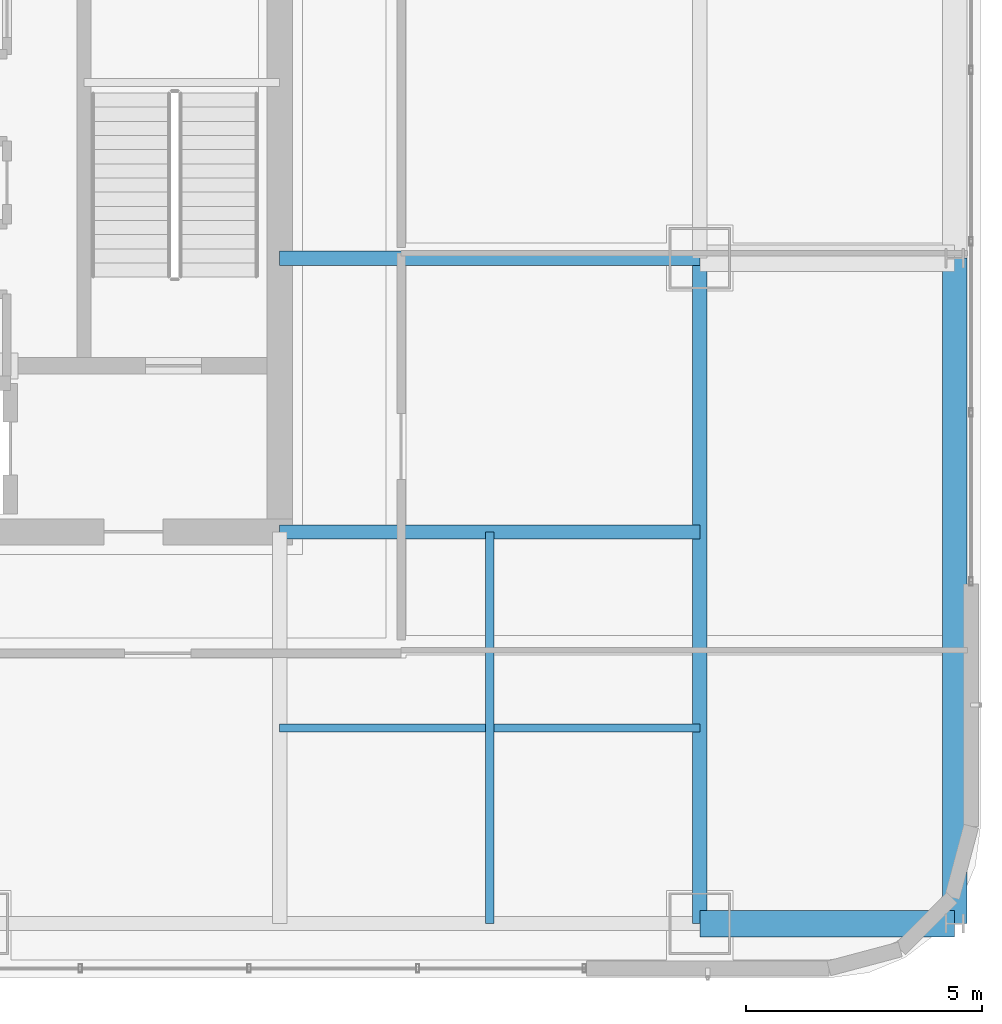
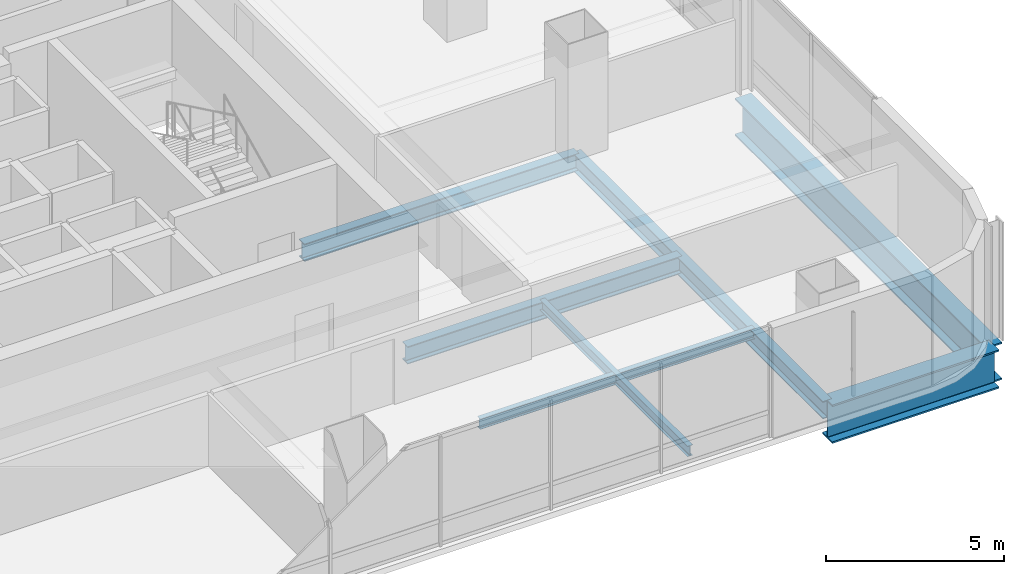
# One storey, part 15 of 51: 7 beams.
"""IFC4 building model written with IfcOpenShell, lengths in metres."""

from ifc_helpers import new_model, si_unit, direction, frame, origin, origin_2d, place, context, subcontext, project, spatial, i_section, extrude, material, material_profile, profile_set, type_object, element, save


model = new_model("IFC4")

# Units and contexts
model_context = context("Model", 3, precision=1e-05, world=origin(), true_north=direction((0.0, 1.0)))
body_context = subcontext(model_context, "Body", "Model", "MODEL_VIEW")
ifc_project = project(units=[si_unit("LENGTHUNIT", "METRE"), si_unit("AREAUNIT", "SQUARE_METRE"), si_unit("VOLUMEUNIT", "CUBIC_METRE"), si_unit("PLANEANGLEUNIT", "RADIAN"), si_unit("MASSUNIT", "GRAM", prefix="KILO")], contexts=[model_context])

# Site, building, storey
site_placement = place(None, origin())
site = spatial("IfcSite", under=ifc_project, at=site_placement, CompositionType="ELEMENT")
building_placement = place(site_placement, origin())
building = spatial("IfcBuilding", under=site, at=building_placement, Name="Punatoya Terracotta Tower", CompositionType="ELEMENT")
storey_placement = place(building_placement, frame((0.0, 0.0, 279.75)))
storey = spatial("IfcBuildingStorey", under=building, at=storey_placement, Name="L66", CompositionType="ELEMENT", Elevation=279.75)

# Beams
ifc_material_1 = material(Name="Steel S355", Category="steel")
ifc_material_profile_1 = material_profile(ifc_material_1, i_section(OverallWidth=0.300048828125, OverallDepth=0.60009765625, WebThickness=0.015380859375, FlangeThickness=0.030029296875, FilletRadius=0.01806640625, at=origin_2d()))
ifc_profile_set_1 = profile_set([ifc_material_profile_1], Name="Steel S355")
beam_type_1 = type_object("IfcBeamType", Name="BM-PRI-600", PredefinedType="BEAM", material=ifc_profile_set_1)
beam_1_placement = place(storey_placement, frame((19.10009765625, -17.5, -0.5), z_axis=(0.0, 1.0, 0.0), x_axis=(-1.0, 0.0, 0.0)))
element("IfcBeam", 1, at=beam_1_placement, inside=storey, type_object=beam_type_1, Name="BM-L66-RG-E1", PredefinedType="BEAM", context=body_context, shape_type="SweptSolid", body=[
    extrude(i_section(OverallWidth=0.300048828125, OverallDepth=0.60009765625, WebThickness=0.015380859375, FlangeThickness=0.030029296875, FilletRadius=0.01806640625, at=origin_2d()), origin(), (0.0, 0.0, 1.0), 14.10009765625),
])
for number, where, z_axis, x_axis, name in (
    (2, (10.199951171875, -9.199951171875, -0.5), (1.0, 0.0, 0.0), (0.0, 1.0, 0.0), "BM-L66-PR-ES"),
    (3, (10.199951171875, -3.39990234375, -0.5), (1.0, 0.0, 0.0), (0.0, 1.0, 0.0), "BM-L66-PR-ED"),
):
    element("IfcBeam", number, at=place(storey_placement, frame(where, z_axis=z_axis, x_axis=x_axis)), inside=storey, type_object=beam_type_1, Name=name, PredefinedType="BEAM", context=body_context, shape_type="SweptSolid", body=[
        extrude(i_section(OverallWidth=0.300048828125, OverallDepth=0.60009765625, WebThickness=0.015380859375, FlangeThickness=0.030029296875, FilletRadius=0.01806640625, at=origin_2d()), origin(), (0.0, 0.0, 1.0), 8.900146484375),
    ])
ifc_material_profile_2 = material_profile(ifc_material_1, i_section(OverallWidth=0.169921875, OverallDepth=0.360107421875, WebThickness=0.008056640625, FlangeThickness=0.0126953125, FilletRadius=0.01806640625, at=origin_2d()))
ifc_profile_set_2 = profile_set([ifc_material_profile_2], Name="Steel S355")
beam_type_2 = type_object("IfcBeamType", Name="BM-SEC-360", PredefinedType="JOIST", material=ifc_profile_set_2)
beam_2_placement = place(storey_placement, frame((10.199951171875, -13.35009765625, -0.3798828125), z_axis=(1.0, 0.0, 0.0), x_axis=(0.0, 1.0, 0.0)))
element("IfcBeam", 4, at=beam_2_placement, inside=storey, type_object=beam_type_2, Name="BM-L66-SJS-2", PredefinedType="JOIST", context=body_context, shape_type="SweptSolid", body=[
    extrude(i_section(OverallWidth=0.169921875, OverallDepth=0.360107421875, WebThickness=0.008056640625, FlangeThickness=0.0126953125, FilletRadius=0.01806640625, at=origin_2d()), origin(), (0.0, 0.0, 1.0), 8.900146484375),
])
beam_3_placement = place(storey_placement, frame((14.64990234375, -17.5, -0.3798828125), z_axis=(0.0, 1.0, 0.0), x_axis=(-1.0, 0.0, 0.0)))
element("IfcBeam", 5, at=beam_3_placement, inside=storey, type_object=beam_type_2, Name="BM-L66-SJE-1", PredefinedType="JOIST", context=body_context, shape_type="SweptSolid", body=[
    extrude(i_section(OverallWidth=0.169921875, OverallDepth=0.360107421875, WebThickness=0.008056640625, FlangeThickness=0.0126953125, FilletRadius=0.01806640625, at=origin_2d()), origin(), (0.0, 0.0, 1.0), 8.300048828125),
])
ifc_material_2 = material(Name="Steel S460", Category="steel")
ifc_material_profile_3 = material_profile(ifc_material_2, i_section(OverallWidth=0.56005859375, OverallDepth=1.320068359375, WebThickness=0.035888671875, FlangeThickness=0.054931640625, FilletRadius=0.01806640625, at=origin_2d()))
ifc_profile_set_3 = profile_set([ifc_material_profile_3], Name="Steel S460")
beam_type_3 = type_object("IfcBeamType", Name="BM-TG-BLK", PredefinedType="BEAM", material=ifc_profile_set_3)
beam_4_placement = place(storey_placement, frame((19.10009765625, -17.5, -0.860107421875), z_axis=(1.0, 0.0, 0.0), x_axis=(0.0, 1.0, 0.0)))
element("IfcBeam", 6, at=beam_4_placement, inside=storey, type_object=beam_type_3, Name="BM-L66-CANT-E1", PredefinedType="BEAM", context=body_context, shape_type="SweptSolid", body=[
    extrude(i_section(OverallWidth=0.56005859375, OverallDepth=1.320068359375, WebThickness=0.035888671875, FlangeThickness=0.054931640625, FilletRadius=0.01806640625, at=origin_2d()), origin(), (0.0, 0.0, 1.0), 5.39990234375),
])
ifc_material_profile_4 = material_profile(ifc_material_2, i_section(OverallWidth=0.52001953125, OverallDepth=1.280029296875, WebThickness=0.031982421875, FlangeThickness=0.050048828125, FilletRadius=0.01806640625, at=origin_2d()))
ifc_profile_set_4 = profile_set([ifc_material_profile_4], Name="Steel S460")
beam_type_4 = type_object("IfcBeamType", Name="BM-TG-NCK", PredefinedType="BEAM", material=ifc_profile_set_4)
beam_5_placement = place(storey_placement, frame((24.5, -17.5, -0.840087890625), z_axis=(0.0, 1.0, 0.0), x_axis=(-1.0, 0.0, 0.0)))
element("IfcBeam", 7, at=beam_5_placement, inside=storey, type_object=beam_type_4, Name="BM-L66-PER-E1", PredefinedType="BEAM", context=body_context, shape_type="SweptSolid", body=[
    extrude(i_section(OverallWidth=0.52001953125, OverallDepth=1.280029296875, WebThickness=0.031982421875, FlangeThickness=0.050048828125, FilletRadius=0.01806640625, at=origin_2d()), origin(), (0.0, 0.0, 1.0), 14.10009765625),
])

save(model, "model.ifc")
